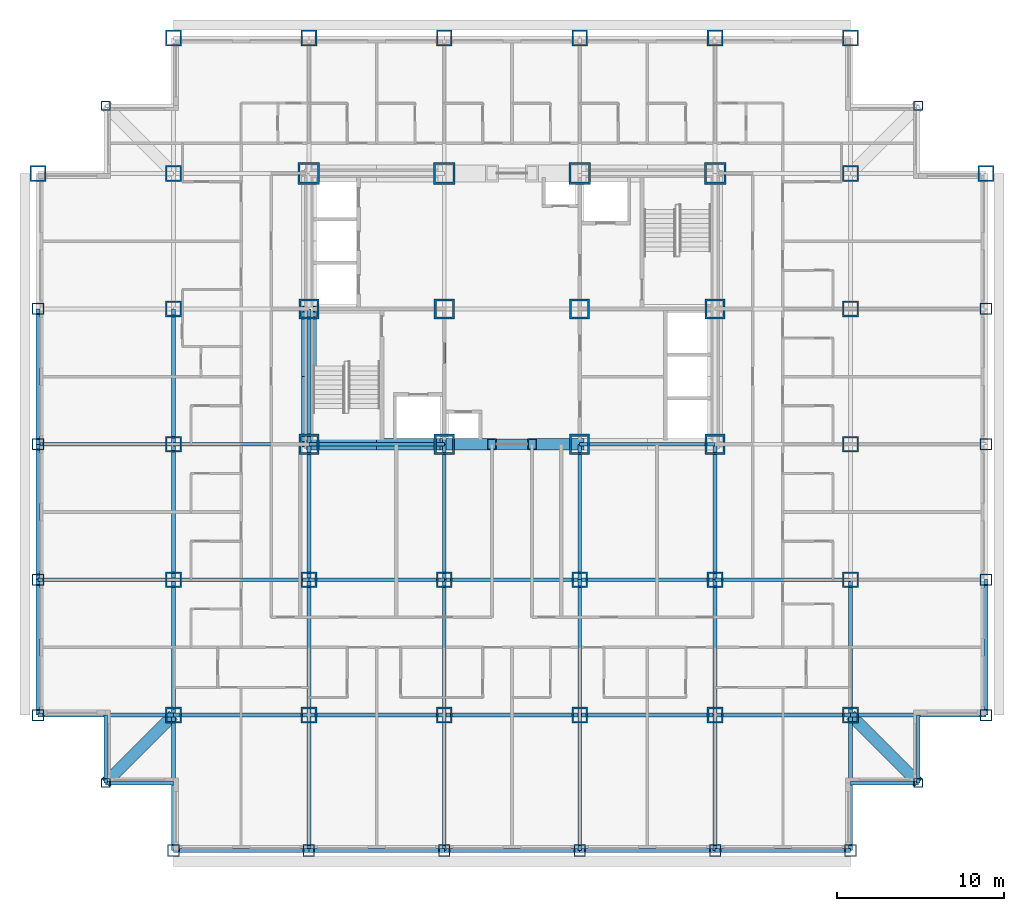
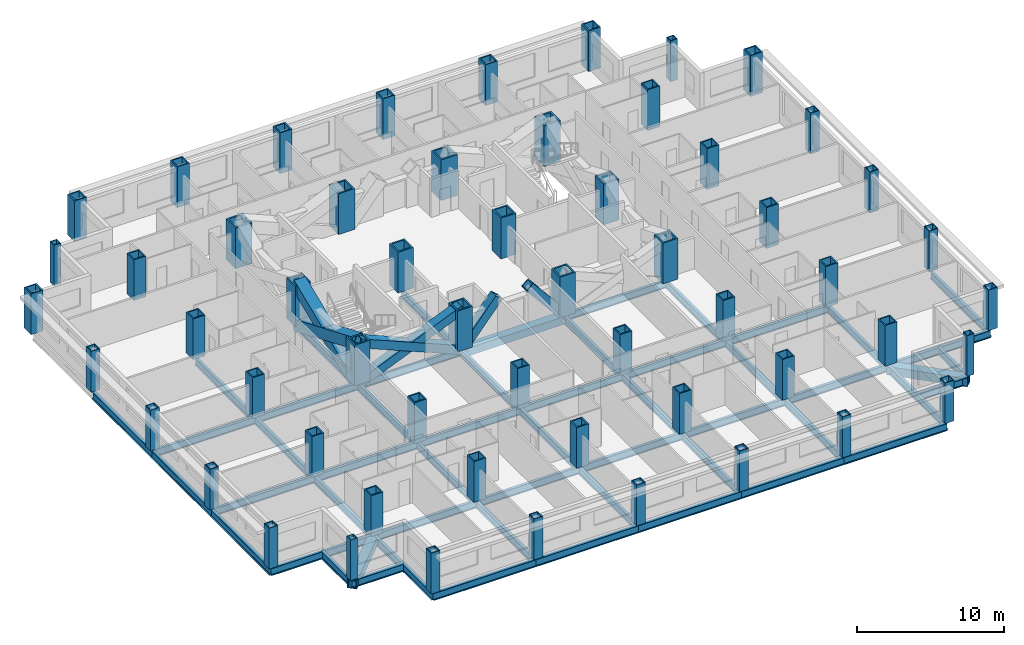
# One storey, part 1 of 11: 56 columns, 53 beams, 6 members.
"""IFC4 building model written with IfcOpenShell, lengths in metres."""

from ifc_helpers import new_model, si_unit, direction, frame, origin, origin_2d, place, context, subcontext, project, spatial, hollow_rectangle, i_section, extrude, material, material_profile, profile_set, type_object, element, save


model = new_model("IFC4")

# Units and contexts
model_context = context("Model", 3, precision=1e-05, world=origin(), true_north=direction((0.0, 1.0)))
body_context = subcontext(model_context, "Body", "Model", "MODEL_VIEW")
ifc_project = project(units=[si_unit("LENGTHUNIT", "METRE"), si_unit("AREAUNIT", "SQUARE_METRE"), si_unit("VOLUMEUNIT", "CUBIC_METRE"), si_unit("PLANEANGLEUNIT", "RADIAN"), si_unit("MASSUNIT", "GRAM", prefix="KILO")], contexts=[model_context])

# Site, building, storey
site_placement = place(None, origin())
site = spatial("IfcSite", under=ifc_project, at=site_placement, CompositionType="ELEMENT")
building_placement = place(site_placement, origin())
building = spatial("IfcBuilding", under=site, at=building_placement, Name="Kopane Lantern Tower", CompositionType="ELEMENT")
storey_placement = place(building_placement, frame((0.0, 0.0, 60.199951171875)))
storey = spatial("IfcBuildingStorey", under=building, at=storey_placement, Name="L14", CompositionType="ELEMENT", Elevation=60.199951171875)

# Columns
ifc_material_1 = material(Name="Steel S355JR", Category="steel")
ifc_material_profile_1 = material_profile(ifc_material_1, hollow_rectangle(XDim=1.199951171875, YDim=1.199951171875, WallThickness=0.1201171875, at=origin_2d()), Name="BOX 1200x1200x120")
ifc_profile_set_1 = profile_set([ifc_material_profile_1], Name="Steel S355JR")
column_type_1 = type_object("IfcColumnType", Name="COLUMN BOX 1200x1200x120", PredefinedType="COLUMN", material=ifc_profile_set_1)
for number, where, z_axis, x_axis, name in (
    (1, (16.199951171875, 24.300048828125, 0.0), (0.0, 0.0, 1.0), (1.0, 0.0, 0.0), "Column 4/E L14"),
    (2, (16.199951171875, 32.39990234375, 0.0), (0.0, 0.0, 1.0), (1.0, 0.0, 0.0), "Column 4/F L14"),
    (3, (24.300048828125, 24.300048828125, 0.0), (0.0, 0.0, 1.0), (1.0, 0.0, 0.0), "Column 5/E L14"),
    (4, (24.300048828125, 32.39990234375, 0.0), (0.0, 0.0, 1.0), (1.0, 0.0, 0.0), "Column 5/F L14"),
    (5, (32.39990234375, 24.300048828125, 0.0), (0.0, 0.0, 1.0), (1.0, 0.0, 0.0), "Column 6/E L14"),
    (6, (32.39990234375, 32.39990234375, 0.0), (0.0, 0.0, 1.0), (1.0, 0.0, 0.0), "Column 6/F L14"),
    (7, (40.5, 24.300048828125, 0.0), (0.0, 0.0, 1.0), (1.0, 0.0, 0.0), "Column 7/E L14"),
    (8, (40.5, 32.39990234375, 0.0), (0.0, 0.0, 1.0), (1.0, 0.0, 0.0), "Column 7/F L14"),
):
    element("IfcColumn", number, at=place(storey_placement, frame(where, z_axis=z_axis, x_axis=x_axis)), inside=storey, type_object=column_type_1, Name=name, PredefinedType="COLUMN", context=body_context, shape_type="SweptSolid", body=[
        extrude(hollow_rectangle(XDim=1.199951171875, YDim=1.199951171875, WallThickness=0.1201171875, at=origin_2d()), origin(), (0.0, 0.0, 1.0), 3.400146484375),
    ])
ifc_material_2 = material(Name="Steel S355JR", Category="steel")
ifc_material_profile_2 = material_profile(ifc_material_2, hollow_rectangle(XDim=1.300048828125, YDim=1.300048828125, WallThickness=0.1298828125, at=origin_2d()), Name="BOX 1300x1300x130")
ifc_profile_set_2 = profile_set([ifc_material_profile_2], Name="Steel S355JR")
column_type_2 = type_object("IfcColumnType", Name="COLUMN BOX 1300x1300x130", PredefinedType="COLUMN", material=ifc_profile_set_2)
for number, where, z_axis, x_axis, name in (
    (9, (16.199951171875, 40.5, 0.0), (0.0, 0.0, 1.0), (1.0, 0.0, 0.0), "Column 4/G L14"),
    (10, (24.300048828125, 40.5, 0.0), (0.0, 0.0, 1.0), (1.0, 0.0, 0.0), "Column 5/G L14"),
    (11, (32.39990234375, 40.5, 0.0), (0.0, 0.0, 1.0), (1.0, 0.0, 0.0), "Column 6/G L14"),
    (12, (40.5, 40.5, 0.0), (0.0, 0.0, 1.0), (1.0, 0.0, 0.0), "Column 7/G L14"),
):
    element("IfcColumn", number, at=place(storey_placement, frame(where, z_axis=z_axis, x_axis=x_axis)), inside=storey, type_object=column_type_2, Name=name, PredefinedType="COLUMN", context=body_context, shape_type="SweptSolid", body=[
        extrude(hollow_rectangle(XDim=1.300048828125, YDim=1.300048828125, WallThickness=0.1298828125, at=origin_2d()), origin(), (0.0, 0.0, 1.0), 3.400146484375),
    ])
ifc_material_3 = material(Name="Steel S355JR", Category="steel")
ifc_material_profile_3 = material_profile(ifc_material_3, hollow_rectangle(XDim=0.550048828125, YDim=0.550048828125, WallThickness=0.050048828125, at=origin_2d()), Name="BOX 550x550x50")
ifc_profile_set_3 = profile_set([ifc_material_profile_3], Name="Steel S355JR")
column_type_3 = type_object("IfcColumnType", Name="COLUMN BOX 550x550x50", PredefinedType="COLUMN", material=ifc_profile_set_3)
for number, where, z_axis, x_axis, name in (
    (13, (4.050048828125, 4.050048828125, 0.0), (0.0, 0.0, 1.0), (1.0, 0.0, 0.0), "Column 4.05/4.05 L14"),
    (14, (4.050048828125, 44.550048828125, 0.0), (0.0, 0.0, 1.0), (1.0, 0.0, 0.0), "Column 4.05/44.55 L14"),
    (15, (52.64990234375, 4.050048828125, 0.0), (0.0, 0.0, 1.0), (1.0, 0.0, 0.0), "Column 52.65/4.05 L14"),
    (16, (52.64990234375, 44.550048828125, 0.0), (0.0, 0.0, 1.0), (1.0, 0.0, 0.0), "Column 52.65/44.55 L14"),
):
    element("IfcColumn", number, at=place(storey_placement, frame(where, z_axis=z_axis, x_axis=x_axis)), inside=storey, type_object=column_type_3, Name=name, PredefinedType="COLUMN", context=body_context, shape_type="SweptSolid", body=[
        extrude(hollow_rectangle(XDim=0.550048828125, YDim=0.550048828125, WallThickness=0.050048828125, at=origin_2d()), origin(), (0.0, 0.0, 1.0), 3.400146484375),
    ])
ifc_material_4 = material(Name="Steel S355JR", Category="steel")
ifc_material_profile_4 = material_profile(ifc_material_4, hollow_rectangle(XDim=0.699951171875, YDim=0.699951171875, WallThickness=0.06005859375, at=origin_2d()), Name="BOX 700x700x60")
ifc_profile_set_4 = profile_set([ifc_material_profile_4], Name="Steel S355JR")
column_type_4 = type_object("IfcColumnType", Name="COLUMN BOX 700x700x60", PredefinedType="COLUMN", material=ifc_profile_set_4)
for number, where, z_axis, x_axis, name in (
    (17, (0.0, 8.10009765625, 0.0), (0.0, 0.0, 1.0), (1.0, 0.0, 0.0), "Column 2/C L14"),
    (18, (0.0, 16.199951171875, 0.0), (0.0, 0.0, 1.0), (1.0, 0.0, 0.0), "Column 2/D L14"),
    (19, (0.0, 24.300048828125, 0.0), (0.0, 0.0, 1.0), (1.0, 0.0, 0.0), "Column 2/E L14"),
    (20, (0.0, 32.39990234375, 0.0), (0.0, 0.0, 1.0), (1.0, 0.0, 0.0), "Column 2/F L14"),
    (21, (8.10009765625, 0.0, 0.0), (0.0, 0.0, 1.0), (1.0, 0.0, 0.0), "Column 3/B L14"),
    (22, (16.199951171875, 0.0, 0.0), (0.0, 0.0, 1.0), (1.0, 0.0, 0.0), "Column 4/B L14"),
    (23, (24.300048828125, 0.0, 0.0), (0.0, 0.0, 1.0), (1.0, 0.0, 0.0), "Column 5/B L14"),
    (24, (32.39990234375, 0.0, 0.0), (0.0, 0.0, 1.0), (1.0, 0.0, 0.0), "Column 6/B L14"),
    (25, (40.5, 0.0, 0.0), (0.0, 0.0, 1.0), (1.0, 0.0, 0.0), "Column 7/B L14"),
    (26, (48.60009765625, 0.0, 0.0), (0.0, 0.0, 1.0), (1.0, 0.0, 0.0), "Column 8/B L14"),
    (27, (56.699951171875, 8.10009765625, 0.0), (0.0, 0.0, 1.0), (1.0, 0.0, 0.0), "Column 9/C L14"),
    (28, (56.699951171875, 16.199951171875, 0.0), (0.0, 0.0, 1.0), (1.0, 0.0, 0.0), "Column 9/D L14"),
    (29, (56.699951171875, 24.300048828125, 0.0), (0.0, 0.0, 1.0), (1.0, 0.0, 0.0), "Column 9/E L14"),
    (30, (56.699951171875, 32.39990234375, 0.0), (0.0, 0.0, 1.0), (1.0, 0.0, 0.0), "Column 9/F L14"),
):
    element("IfcColumn", number, at=place(storey_placement, frame(where, z_axis=z_axis, x_axis=x_axis)), inside=storey, type_object=column_type_4, Name=name, PredefinedType="COLUMN", context=body_context, shape_type="SweptSolid", body=[
        extrude(hollow_rectangle(XDim=0.699951171875, YDim=0.699951171875, WallThickness=0.06005859375, at=origin_2d()), origin(), (0.0, 0.0, 1.0), 3.400146484375),
    ])
ifc_material_5 = material(Name="Steel S355JR", Category="steel")
ifc_material_profile_5 = material_profile(ifc_material_5, hollow_rectangle(XDim=0.949951171875, YDim=0.949951171875, WallThickness=0.094970703125, at=origin_2d()), Name="BOX 950x950x95")
ifc_profile_set_5 = profile_set([ifc_material_profile_5], Name="Steel S355JR")
column_type_5 = type_object("IfcColumnType", Name="COLUMN BOX 950x950x95", PredefinedType="COLUMN", material=ifc_profile_set_5)
for number, where, z_axis, x_axis, name in (
    (31, (0.0, 40.5, 0.0), (0.0, 0.0, 1.0), (1.0, 0.0, 0.0), "Column 2/G L14"),
    (32, (8.10009765625, 8.10009765625, 0.0), (0.0, 0.0, 1.0), (1.0, 0.0, 0.0), "Column 3/C L14"),
    (33, (8.10009765625, 16.199951171875, 0.0), (0.0, 0.0, 1.0), (1.0, 0.0, 0.0), "Column 3/D L14"),
    (34, (8.10009765625, 24.300048828125, 0.0), (0.0, 0.0, 1.0), (1.0, 0.0, 0.0), "Column 3/E L14"),
    (35, (8.10009765625, 32.39990234375, 0.0), (0.0, 0.0, 1.0), (1.0, 0.0, 0.0), "Column 3/F L14"),
    (36, (8.10009765625, 40.5, 0.0), (0.0, 0.0, 1.0), (1.0, 0.0, 0.0), "Column 3/G L14"),
    (37, (8.10009765625, 48.60009765625, 0.0), (0.0, 0.0, 1.0), (1.0, 0.0, 0.0), "Column 3/H L14"),
    (38, (16.199951171875, 8.10009765625, 0.0), (0.0, 0.0, 1.0), (1.0, 0.0, 0.0), "Column 4/C L14"),
    (39, (16.199951171875, 16.199951171875, 0.0), (0.0, 0.0, 1.0), (1.0, 0.0, 0.0), "Column 4/D L14"),
    (40, (16.199951171875, 48.60009765625, 0.0), (0.0, 0.0, 1.0), (1.0, 0.0, 0.0), "Column 4/H L14"),
    (41, (24.300048828125, 8.10009765625, 0.0), (0.0, 0.0, 1.0), (1.0, 0.0, 0.0), "Column 5/C L14"),
    (42, (24.300048828125, 16.199951171875, 0.0), (0.0, 0.0, 1.0), (1.0, 0.0, 0.0), "Column 5/D L14"),
    (43, (24.300048828125, 48.60009765625, 0.0), (0.0, 0.0, 1.0), (1.0, 0.0, 0.0), "Column 5/H L14"),
    (44, (32.39990234375, 8.10009765625, 0.0), (0.0, 0.0, 1.0), (1.0, 0.0, 0.0), "Column 6/C L14"),
    (45, (32.39990234375, 16.199951171875, 0.0), (0.0, 0.0, 1.0), (1.0, 0.0, 0.0), "Column 6/D L14"),
    (46, (32.39990234375, 48.60009765625, 0.0), (0.0, 0.0, 1.0), (1.0, 0.0, 0.0), "Column 6/H L14"),
    (47, (40.5, 8.10009765625, 0.0), (0.0, 0.0, 1.0), (1.0, 0.0, 0.0), "Column 7/C L14"),
    (48, (40.5, 16.199951171875, 0.0), (0.0, 0.0, 1.0), (1.0, 0.0, 0.0), "Column 7/D L14"),
    (49, (40.5, 48.60009765625, 0.0), (0.0, 0.0, 1.0), (1.0, 0.0, 0.0), "Column 7/H L14"),
    (50, (48.60009765625, 8.10009765625, 0.0), (0.0, 0.0, 1.0), (1.0, 0.0, 0.0), "Column 8/C L14"),
    (51, (48.60009765625, 16.199951171875, 0.0), (0.0, 0.0, 1.0), (1.0, 0.0, 0.0), "Column 8/D L14"),
    (52, (48.60009765625, 24.300048828125, 0.0), (0.0, 0.0, 1.0), (1.0, 0.0, 0.0), "Column 8/E L14"),
    (53, (48.60009765625, 32.39990234375, 0.0), (0.0, 0.0, 1.0), (1.0, 0.0, 0.0), "Column 8/F L14"),
    (54, (48.60009765625, 40.5, 0.0), (0.0, 0.0, 1.0), (1.0, 0.0, 0.0), "Column 8/G L14"),
    (55, (48.60009765625, 48.60009765625, 0.0), (0.0, 0.0, 1.0), (1.0, 0.0, 0.0), "Column 8/H L14"),
    (56, (56.699951171875, 40.5, 0.0), (0.0, 0.0, 1.0), (1.0, 0.0, 0.0), "Column 9/G L14"),
):
    element("IfcColumn", number, at=place(storey_placement, frame(where, z_axis=z_axis, x_axis=x_axis)), inside=storey, type_object=column_type_5, Name=name, PredefinedType="COLUMN", context=body_context, shape_type="SweptSolid", body=[
        extrude(hollow_rectangle(XDim=0.949951171875, YDim=0.949951171875, WallThickness=0.094970703125, at=origin_2d()), origin(), (0.0, 0.0, 1.0), 3.400146484375),
    ])

# Members
ifc_material_6 = material(Name="Steel S355JR", Category="steel")
ifc_material_profile_6 = material_profile(ifc_material_6, hollow_rectangle(XDim=0.699951171875, YDim=0.699951171875, WallThickness=0.06005859375, at=origin_2d()), Name="BOX 700x700x60")
ifc_profile_set_6 = profile_set([ifc_material_profile_6], Name="Steel S355JR")
member_type_1 = type_object("IfcMemberType", Name="BRACE BOX 700x700x60", PredefinedType="BRACE", material=ifc_profile_set_6)
for number, where, z_axis, x_axis, name in (
    (57, (16.199951171875, 24.300048828125, -0.2099609375), (0.922069000757, 0.0, 0.387025526088), (0.0, 1.0, 0.0), "Core brace L14"),
    (58, (24.300048828125, 24.300048828125, -0.2099609375), (-0.922069000757, 0.0, 0.387025526088), (0.0, -1.0, 0.0), "Core brace L14"),
):
    element("IfcMember", number, at=place(storey_placement, frame(where, z_axis=z_axis, x_axis=x_axis)), inside=storey, type_object=member_type_1, Name=name, PredefinedType="BRACE", context=body_context, shape_type="SweptSolid", body=[
        extrude(hollow_rectangle(XDim=0.699951171875, YDim=0.699951171875, WallThickness=0.06005859375, at=origin_2d()), origin(), (0.0, 0.0, 1.0), 8.78466796875),
    ])
for number, where, z_axis, x_axis, name in (
    (59, (24.300048828125, 24.300048828125, -0.2099609375), (0.642390257445, 0.0, 0.7663776857), (0.0, 1.0, 0.0), "Core brace L14"),
    (60, (32.39990234375, 24.300048828125, -0.2099609375), (-0.642390257445, 0.0, 0.7663776857), (0.0, -1.0, 0.0), "Core brace L14"),
):
    element("IfcMember", number, at=place(storey_placement, frame(where, z_axis=z_axis, x_axis=x_axis)), inside=storey, type_object=member_type_1, Name=name, PredefinedType="BRACE", context=body_context, shape_type="SweptSolid", body=[
        extrude(hollow_rectangle(XDim=0.699951171875, YDim=0.699951171875, WallThickness=0.06005859375, at=origin_2d()), origin(), (0.0, 0.0, 1.0), 4.436279296875),
    ])
ifc_material_7 = material(Name="Steel S355JR", Category="steel")
ifc_material_profile_7 = material_profile(ifc_material_7, hollow_rectangle(XDim=0.89990234375, YDim=0.89990234375, WallThickness=0.090087890625, at=origin_2d()), Name="BOX 900x900x90")
ifc_profile_set_7 = profile_set([ifc_material_profile_7], Name="Steel S355JR")
member_type_2 = type_object("IfcMemberType", Name="BRACE BOX 900x900x90", PredefinedType="BRACE", material=ifc_profile_set_7)
for number, where, z_axis, x_axis, name in (
    (61, (16.199951171875, 24.300048828125, -0.2099609375), (0.0, 0.922064837731, 0.38703544414), (-1.0, 0.0, 0.0), "Core brace L14"),
    (62, (16.199951171875, 32.39990234375, -0.2099609375), (0.0, -0.922064837731, 0.38703544414), (1.0, 0.0, 0.0), "Core brace L14"),
):
    element("IfcMember", number, at=place(storey_placement, frame(where, z_axis=z_axis, x_axis=x_axis)), inside=storey, type_object=member_type_2, Name=name, PredefinedType="BRACE", context=body_context, shape_type="SweptSolid", body=[
        extrude(hollow_rectangle(XDim=0.89990234375, YDim=0.89990234375, WallThickness=0.090087890625, at=origin_2d()), origin(), (0.0, 0.0, 1.0), 8.784423828125),
    ])

# Beams
ifc_material_8 = material(Name="Steel S355JR", Category="steel")
ifc_material_profile_8 = material_profile(ifc_material_8, i_section(OverallWidth=0.22900390625, OverallDepth=0.6123046875, WebThickness=0.011962890625, FlangeThickness=0.01953125, FilletRadius=0.0126953125, at=origin_2d()), Name="UB 610x229x125")
ifc_profile_set_8 = profile_set([ifc_material_profile_8], Name="Steel S355JR")
beam_type_1 = type_object("IfcBeamType", Name="CORE BEAM UB 610x229x125", PredefinedType="BEAM", material=ifc_profile_set_8)
beam_1_placement = place(storey_placement, frame((24.300048828125, 24.300048828125, -0.51611328125), z_axis=(0.0, 1.0, 0.0), x_axis=(-1.0, 0.0, 0.0)))
element("IfcBeam", 63, at=beam_1_placement, inside=storey, type_object=beam_type_1, Name="Core Beam L14", PredefinedType="BEAM", context=body_context, shape_type="SweptSolid", body=[
    extrude(i_section(OverallWidth=0.22900390625, OverallDepth=0.6123046875, WebThickness=0.011962890625, FlangeThickness=0.01953125, FilletRadius=0.0126953125, at=origin_2d()), origin(), (0.0, 0.0, 1.0), 8.099853515625),
])
ifc_material_9 = material(Name="Steel S355JR", Category="steel")
ifc_material_profile_9 = material_profile(ifc_material_9, hollow_rectangle(XDim=0.699951171875, YDim=0.699951171875, WallThickness=0.06005859375, at=origin_2d()), Name="BOX 700x700x60")
ifc_profile_set_9 = profile_set([ifc_material_profile_9], Name="Steel S355JR")
beam_type_2 = type_object("IfcBeamType", Name="CORNER TIE BEAM BOX 700x700x60", PredefinedType="BEAM", material=ifc_profile_set_9)
for number, where, z_axis, x_axis, name in (
    (64, (4.050048828125, 4.050048828125, -0.56005859375), (0.707106781187, 0.707106781187, 0.0), (-0.707106781187, 0.707106781187, 0.0), "Corner Tie Beam L14"),
    (65, (52.64990234375, 4.050048828125, -0.56005859375), (-0.707085467703, 0.707128094028, 0.0), (-0.707128094028, -0.707085467703, 0.0), "Corner Tie Beam L14"),
):
    element("IfcBeam", number, at=place(storey_placement, frame(where, z_axis=z_axis, x_axis=x_axis)), inside=storey, type_object=beam_type_2, Name=name, PredefinedType="BEAM", context=body_context, shape_type="SweptSolid", body=[
        extrude(hollow_rectangle(XDim=0.699951171875, YDim=0.699951171875, WallThickness=0.06005859375, at=origin_2d()), origin(), (0.0, 0.0, 1.0), 5.7275390625),
    ])
ifc_material_10 = material(Name="Steel S355JR", Category="steel")
ifc_material_profile_10 = material_profile(ifc_material_10, i_section(OverallWidth=0.22900390625, OverallDepth=0.6123046875, WebThickness=0.011962890625, FlangeThickness=0.01953125, FilletRadius=0.0126953125, at=origin_2d()), Name="UB 610x229x125")
ifc_profile_set_10 = profile_set([ifc_material_profile_10], Name="Steel S355JR")
beam_type_3 = type_object("IfcBeamType", Name="EDGE BEAM UB 610x229x125", PredefinedType="BEAM", material=ifc_profile_set_10)
for number, where, z_axis, x_axis, name in (
    (66, (4.050048828125, 4.050048828125, -0.51611328125), (0.0, 1.0, 0.0), (-1.0, 0.0, 0.0), "Edge Beam L14"),
    (67, (4.050048828125, 4.050048828125, -0.51611328125), (1.0, 0.0, 0.0), (0.0, 1.0, 0.0), "Edge Beam L14"),
):
    element("IfcBeam", number, at=place(storey_placement, frame(where, z_axis=z_axis, x_axis=x_axis)), inside=storey, type_object=beam_type_3, Name=name, PredefinedType="BEAM", context=body_context, shape_type="SweptSolid", body=[
        extrude(i_section(OverallWidth=0.22900390625, OverallDepth=0.6123046875, WebThickness=0.011962890625, FlangeThickness=0.01953125, FilletRadius=0.0126953125, at=origin_2d()), origin(), (0.0, 0.0, 1.0), 4.050048828125),
    ])
beam_2_placement = place(storey_placement, frame((52.64990234375, 4.050048828125, -0.51611328125), z_axis=(-1.0, 0.0, 0.0), x_axis=(0.0, -1.0, 0.0)))
element("IfcBeam", 68, at=beam_2_placement, inside=storey, type_object=beam_type_3, Name="Edge Beam L14", PredefinedType="BEAM", context=body_context, shape_type="SweptSolid", body=[
    extrude(i_section(OverallWidth=0.22900390625, OverallDepth=0.6123046875, WebThickness=0.011962890625, FlangeThickness=0.01953125, FilletRadius=0.0126953125, at=origin_2d()), origin(), (0.0, 0.0, 1.0), 4.0498046875),
])
beam_3_placement = place(storey_placement, frame((52.64990234375, 4.050048828125, -0.51611328125), z_axis=(0.0, 1.0, 0.0), x_axis=(-1.0, 0.0, 0.0)))
element("IfcBeam", 69, at=beam_3_placement, inside=storey, type_object=beam_type_3, Name="Edge Beam L14", PredefinedType="BEAM", context=body_context, shape_type="SweptSolid", body=[
    extrude(i_section(OverallWidth=0.22900390625, OverallDepth=0.6123046875, WebThickness=0.011962890625, FlangeThickness=0.01953125, FilletRadius=0.0126953125, at=origin_2d()), origin(), (0.0, 0.0, 1.0), 4.050048828125),
])
ifc_material_11 = material(Name="Steel S355JR", Category="steel")
ifc_material_profile_11 = material_profile(ifc_material_11, i_section(OverallWidth=0.22900390625, OverallDepth=0.6123046875, WebThickness=0.011962890625, FlangeThickness=0.01953125, FilletRadius=0.0126953125, at=origin_2d()), Name="UB 610x229x125")
ifc_profile_set_11 = profile_set([ifc_material_profile_11], Name="Steel S355JR")
beam_type_4 = type_object("IfcBeamType", Name="GIRDER UB 610x229x125", PredefinedType="BEAM", material=ifc_profile_set_11)
beam_4_placement = place(storey_placement, frame((0.0, 8.10009765625, -0.51611328125), z_axis=(0.0, 1.0, 0.0), x_axis=(-1.0, 0.0, 0.0)))
element("IfcBeam", 70, at=beam_4_placement, inside=storey, type_object=beam_type_4, Name="Girder L14", PredefinedType="BEAM", context=body_context, shape_type="SweptSolid", body=[
    extrude(i_section(OverallWidth=0.22900390625, OverallDepth=0.6123046875, WebThickness=0.011962890625, FlangeThickness=0.01953125, FilletRadius=0.0126953125, at=origin_2d()), origin(), (0.0, 0.0, 1.0), 8.099853515625),
])
for number, where, z_axis, x_axis, name in (
    (71, (0.0, 8.10009765625, -0.51611328125), (1.0, 0.0, 0.0), (0.0, 1.0, 0.0), "Girder L14"),
    (72, (0.0, 16.199951171875, -0.51611328125), (0.0, 1.0, 0.0), (-1.0, 0.0, 0.0), "Girder L14"),
    (73, (0.0, 16.199951171875, -0.51611328125), (1.0, 0.0, 0.0), (0.0, 1.0, 0.0), "Girder L14"),
):
    element("IfcBeam", number, at=place(storey_placement, frame(where, z_axis=z_axis, x_axis=x_axis)), inside=storey, type_object=beam_type_4, Name=name, PredefinedType="BEAM", context=body_context, shape_type="SweptSolid", body=[
        extrude(i_section(OverallWidth=0.22900390625, OverallDepth=0.6123046875, WebThickness=0.011962890625, FlangeThickness=0.01953125, FilletRadius=0.0126953125, at=origin_2d()), origin(), (0.0, 0.0, 1.0), 8.10009765625),
    ])
beam_5_placement = place(storey_placement, frame((0.0, 24.300048828125, -0.51611328125), z_axis=(0.0, 1.0, 0.0), x_axis=(-1.0, 0.0, 0.0)))
element("IfcBeam", 74, at=beam_5_placement, inside=storey, type_object=beam_type_4, Name="Girder L14", PredefinedType="BEAM", context=body_context, shape_type="SweptSolid", body=[
    extrude(i_section(OverallWidth=0.22900390625, OverallDepth=0.6123046875, WebThickness=0.011962890625, FlangeThickness=0.01953125, FilletRadius=0.0126953125, at=origin_2d()), origin(), (0.0, 0.0, 1.0), 8.099853515625),
])
for number, where, z_axis, x_axis, name in (
    (75, (0.0, 24.300048828125, -0.51611328125), (1.0, 0.0, 0.0), (0.0, 1.0, 0.0), "Girder L14"),
    (76, (8.10009765625, 0.0, -0.51611328125), (0.0, 1.0, 0.0), (-1.0, 0.0, 0.0), "Girder L14"),
):
    element("IfcBeam", number, at=place(storey_placement, frame(where, z_axis=z_axis, x_axis=x_axis)), inside=storey, type_object=beam_type_4, Name=name, PredefinedType="BEAM", context=body_context, shape_type="SweptSolid", body=[
        extrude(i_section(OverallWidth=0.22900390625, OverallDepth=0.6123046875, WebThickness=0.011962890625, FlangeThickness=0.01953125, FilletRadius=0.0126953125, at=origin_2d()), origin(), (0.0, 0.0, 1.0), 8.10009765625),
    ])
for number, where, z_axis, x_axis, name in (
    (77, (8.10009765625, 0.0, -0.51611328125), (1.0, 0.0, 0.0), (0.0, 1.0, 0.0), "Girder L14"),
    (78, (8.10009765625, 8.10009765625, -0.51611328125), (0.0, 1.0, 0.0), (-1.0, 0.0, 0.0), "Girder L14"),
    (79, (8.10009765625, 8.10009765625, -0.51611328125), (1.0, 0.0, 0.0), (0.0, 1.0, 0.0), "Girder L14"),
):
    element("IfcBeam", number, at=place(storey_placement, frame(where, z_axis=z_axis, x_axis=x_axis)), inside=storey, type_object=beam_type_4, Name=name, PredefinedType="BEAM", context=body_context, shape_type="SweptSolid", body=[
        extrude(i_section(OverallWidth=0.22900390625, OverallDepth=0.6123046875, WebThickness=0.011962890625, FlangeThickness=0.01953125, FilletRadius=0.0126953125, at=origin_2d()), origin(), (0.0, 0.0, 1.0), 8.099853515625),
    ])
beam_6_placement = place(storey_placement, frame((8.10009765625, 16.199951171875, -0.51611328125), z_axis=(0.0, 1.0, 0.0), x_axis=(-1.0, 0.0, 0.0)))
element("IfcBeam", 80, at=beam_6_placement, inside=storey, type_object=beam_type_4, Name="Girder L14", PredefinedType="BEAM", context=body_context, shape_type="SweptSolid", body=[
    extrude(i_section(OverallWidth=0.22900390625, OverallDepth=0.6123046875, WebThickness=0.011962890625, FlangeThickness=0.01953125, FilletRadius=0.0126953125, at=origin_2d()), origin(), (0.0, 0.0, 1.0), 8.10009765625),
])
for number, where, z_axis, x_axis, name in (
    (81, (8.10009765625, 16.199951171875, -0.51611328125), (1.0, 0.0, 0.0), (0.0, 1.0, 0.0), "Girder L14"),
    (82, (8.10009765625, 24.300048828125, -0.51611328125), (0.0, 1.0, 0.0), (-1.0, 0.0, 0.0), "Girder L14"),
    (83, (8.10009765625, 24.300048828125, -0.51611328125), (1.0, 0.0, 0.0), (0.0, 1.0, 0.0), "Girder L14"),
):
    element("IfcBeam", number, at=place(storey_placement, frame(where, z_axis=z_axis, x_axis=x_axis)), inside=storey, type_object=beam_type_4, Name=name, PredefinedType="BEAM", context=body_context, shape_type="SweptSolid", body=[
        extrude(i_section(OverallWidth=0.22900390625, OverallDepth=0.6123046875, WebThickness=0.011962890625, FlangeThickness=0.01953125, FilletRadius=0.0126953125, at=origin_2d()), origin(), (0.0, 0.0, 1.0), 8.099853515625),
    ])
for number, where, z_axis, x_axis, name in (
    (84, (16.199951171875, 0.0, -0.51611328125), (0.0, 1.0, 0.0), (-1.0, 0.0, 0.0), "Girder L14"),
    (85, (16.199951171875, 0.0, -0.51611328125), (1.0, 0.0, 0.0), (0.0, 1.0, 0.0), "Girder L14"),
):
    element("IfcBeam", number, at=place(storey_placement, frame(where, z_axis=z_axis, x_axis=x_axis)), inside=storey, type_object=beam_type_4, Name=name, PredefinedType="BEAM", context=body_context, shape_type="SweptSolid", body=[
        extrude(i_section(OverallWidth=0.22900390625, OverallDepth=0.6123046875, WebThickness=0.011962890625, FlangeThickness=0.01953125, FilletRadius=0.0126953125, at=origin_2d()), origin(), (0.0, 0.0, 1.0), 8.10009765625),
    ])
beam_7_placement = place(storey_placement, frame((16.199951171875, 8.10009765625, -0.51611328125), z_axis=(0.0, 1.0, 0.0), x_axis=(-1.0, 0.0, 0.0)))
element("IfcBeam", 86, at=beam_7_placement, inside=storey, type_object=beam_type_4, Name="Girder L14", PredefinedType="BEAM", context=body_context, shape_type="SweptSolid", body=[
    extrude(i_section(OverallWidth=0.22900390625, OverallDepth=0.6123046875, WebThickness=0.011962890625, FlangeThickness=0.01953125, FilletRadius=0.0126953125, at=origin_2d()), origin(), (0.0, 0.0, 1.0), 8.099853515625),
])
for number, where, z_axis, x_axis, name in (
    (87, (16.199951171875, 8.10009765625, -0.51611328125), (1.0, 0.0, 0.0), (0.0, 1.0, 0.0), "Girder L14"),
    (88, (16.199951171875, 16.199951171875, -0.51611328125), (0.0, 1.0, 0.0), (-1.0, 0.0, 0.0), "Girder L14"),
    (89, (16.199951171875, 16.199951171875, -0.51611328125), (1.0, 0.0, 0.0), (0.0, 1.0, 0.0), "Girder L14"),
):
    element("IfcBeam", number, at=place(storey_placement, frame(where, z_axis=z_axis, x_axis=x_axis)), inside=storey, type_object=beam_type_4, Name=name, PredefinedType="BEAM", context=body_context, shape_type="SweptSolid", body=[
        extrude(i_section(OverallWidth=0.22900390625, OverallDepth=0.6123046875, WebThickness=0.011962890625, FlangeThickness=0.01953125, FilletRadius=0.0126953125, at=origin_2d()), origin(), (0.0, 0.0, 1.0), 8.10009765625),
    ])
beam_8_placement = place(storey_placement, frame((16.199951171875, 24.300048828125, -0.51611328125), z_axis=(0.0, 1.0, 0.0), x_axis=(-1.0, 0.0, 0.0)))
element("IfcBeam", 90, at=beam_8_placement, inside=storey, type_object=beam_type_4, Name="Girder L14", PredefinedType="BEAM", context=body_context, shape_type="SweptSolid", body=[
    extrude(i_section(OverallWidth=0.22900390625, OverallDepth=0.6123046875, WebThickness=0.011962890625, FlangeThickness=0.01953125, FilletRadius=0.0126953125, at=origin_2d()), origin(), (0.0, 0.0, 1.0), 8.099853515625),
])
for number, where, z_axis, x_axis, name in (
    (91, (16.199951171875, 24.300048828125, -0.51611328125), (1.0, 0.0, 0.0), (0.0, 1.0, 0.0), "Girder L14"),
    (92, (24.300048828125, 0.0, -0.51611328125), (0.0, 1.0, 0.0), (-1.0, 0.0, 0.0), "Girder L14"),
):
    element("IfcBeam", number, at=place(storey_placement, frame(where, z_axis=z_axis, x_axis=x_axis)), inside=storey, type_object=beam_type_4, Name=name, PredefinedType="BEAM", context=body_context, shape_type="SweptSolid", body=[
        extrude(i_section(OverallWidth=0.22900390625, OverallDepth=0.6123046875, WebThickness=0.011962890625, FlangeThickness=0.01953125, FilletRadius=0.0126953125, at=origin_2d()), origin(), (0.0, 0.0, 1.0), 8.10009765625),
    ])
for number, where, z_axis, x_axis, name in (
    (93, (24.300048828125, 0.0, -0.51611328125), (1.0, 0.0, 0.0), (0.0, 1.0, 0.0), "Girder L14"),
    (94, (24.300048828125, 8.10009765625, -0.51611328125), (0.0, 1.0, 0.0), (-1.0, 0.0, 0.0), "Girder L14"),
    (95, (24.300048828125, 8.10009765625, -0.51611328125), (1.0, 0.0, 0.0), (0.0, 1.0, 0.0), "Girder L14"),
):
    element("IfcBeam", number, at=place(storey_placement, frame(where, z_axis=z_axis, x_axis=x_axis)), inside=storey, type_object=beam_type_4, Name=name, PredefinedType="BEAM", context=body_context, shape_type="SweptSolid", body=[
        extrude(i_section(OverallWidth=0.22900390625, OverallDepth=0.6123046875, WebThickness=0.011962890625, FlangeThickness=0.01953125, FilletRadius=0.0126953125, at=origin_2d()), origin(), (0.0, 0.0, 1.0), 8.099853515625),
    ])
beam_9_placement = place(storey_placement, frame((24.300048828125, 16.199951171875, -0.51611328125), z_axis=(0.0, 1.0, 0.0), x_axis=(-1.0, 0.0, 0.0)))
element("IfcBeam", 96, at=beam_9_placement, inside=storey, type_object=beam_type_4, Name="Girder L14", PredefinedType="BEAM", context=body_context, shape_type="SweptSolid", body=[
    extrude(i_section(OverallWidth=0.22900390625, OverallDepth=0.6123046875, WebThickness=0.011962890625, FlangeThickness=0.01953125, FilletRadius=0.0126953125, at=origin_2d()), origin(), (0.0, 0.0, 1.0), 8.10009765625),
])
beam_10_placement = place(storey_placement, frame((24.300048828125, 16.199951171875, -0.51611328125), z_axis=(1.0, 0.0, 0.0), x_axis=(0.0, 1.0, 0.0)))
element("IfcBeam", 97, at=beam_10_placement, inside=storey, type_object=beam_type_4, Name="Girder L14", PredefinedType="BEAM", context=body_context, shape_type="SweptSolid", body=[
    extrude(i_section(OverallWidth=0.22900390625, OverallDepth=0.6123046875, WebThickness=0.011962890625, FlangeThickness=0.01953125, FilletRadius=0.0126953125, at=origin_2d()), origin(), (0.0, 0.0, 1.0), 8.099853515625),
])
for number, where, z_axis, x_axis, name in (
    (98, (32.39990234375, 0.0, -0.51611328125), (0.0, 1.0, 0.0), (-1.0, 0.0, 0.0), "Girder L14"),
    (99, (32.39990234375, 0.0, -0.51611328125), (1.0, 0.0, 0.0), (0.0, 1.0, 0.0), "Girder L14"),
):
    element("IfcBeam", number, at=place(storey_placement, frame(where, z_axis=z_axis, x_axis=x_axis)), inside=storey, type_object=beam_type_4, Name=name, PredefinedType="BEAM", context=body_context, shape_type="SweptSolid", body=[
        extrude(i_section(OverallWidth=0.22900390625, OverallDepth=0.6123046875, WebThickness=0.011962890625, FlangeThickness=0.01953125, FilletRadius=0.0126953125, at=origin_2d()), origin(), (0.0, 0.0, 1.0), 8.10009765625),
    ])
beam_11_placement = place(storey_placement, frame((32.39990234375, 8.10009765625, -0.51611328125), z_axis=(0.0, 1.0, 0.0), x_axis=(-1.0, 0.0, 0.0)))
element("IfcBeam", 100, at=beam_11_placement, inside=storey, type_object=beam_type_4, Name="Girder L14", PredefinedType="BEAM", context=body_context, shape_type="SweptSolid", body=[
    extrude(i_section(OverallWidth=0.22900390625, OverallDepth=0.6123046875, WebThickness=0.011962890625, FlangeThickness=0.01953125, FilletRadius=0.0126953125, at=origin_2d()), origin(), (0.0, 0.0, 1.0), 8.099853515625),
])
for number, where, z_axis, x_axis, name in (
    (101, (32.39990234375, 8.10009765625, -0.51611328125), (1.0, 0.0, 0.0), (0.0, 1.0, 0.0), "Girder L14"),
    (102, (32.39990234375, 16.199951171875, -0.51611328125), (0.0, 1.0, 0.0), (-1.0, 0.0, 0.0), "Girder L14"),
    (103, (32.39990234375, 16.199951171875, -0.51611328125), (1.0, 0.0, 0.0), (0.0, 1.0, 0.0), "Girder L14"),
    (104, (32.39990234375, 24.300048828125, -0.51611328125), (1.0, 0.0, 0.0), (0.0, 1.0, 0.0), "Girder L14"),
    (105, (40.5, 0.0, -0.51611328125), (0.0, 1.0, 0.0), (-1.0, 0.0, 0.0), "Girder L14"),
    (106, (40.5, 0.0, -0.51611328125), (1.0, 0.0, 0.0), (0.0, 1.0, 0.0), "Girder L14"),
):
    element("IfcBeam", number, at=place(storey_placement, frame(where, z_axis=z_axis, x_axis=x_axis)), inside=storey, type_object=beam_type_4, Name=name, PredefinedType="BEAM", context=body_context, shape_type="SweptSolid", body=[
        extrude(i_section(OverallWidth=0.22900390625, OverallDepth=0.6123046875, WebThickness=0.011962890625, FlangeThickness=0.01953125, FilletRadius=0.0126953125, at=origin_2d()), origin(), (0.0, 0.0, 1.0), 8.10009765625),
    ])
beam_12_placement = place(storey_placement, frame((40.5, 8.10009765625, -0.51611328125), z_axis=(0.0, 1.0, 0.0), x_axis=(-1.0, 0.0, 0.0)))
element("IfcBeam", 107, at=beam_12_placement, inside=storey, type_object=beam_type_4, Name="Girder L14", PredefinedType="BEAM", context=body_context, shape_type="SweptSolid", body=[
    extrude(i_section(OverallWidth=0.22900390625, OverallDepth=0.6123046875, WebThickness=0.011962890625, FlangeThickness=0.01953125, FilletRadius=0.0126953125, at=origin_2d()), origin(), (0.0, 0.0, 1.0), 8.099853515625),
])
for number, where, z_axis, x_axis, name in (
    (108, (40.5, 8.10009765625, -0.51611328125), (1.0, 0.0, 0.0), (0.0, 1.0, 0.0), "Girder L14"),
    (109, (40.5, 16.199951171875, -0.51611328125), (0.0, 1.0, 0.0), (-1.0, 0.0, 0.0), "Girder L14"),
    (110, (40.5, 16.199951171875, -0.51611328125), (1.0, 0.0, 0.0), (0.0, 1.0, 0.0), "Girder L14"),
    (111, (48.60009765625, 0.0, -0.51611328125), (0.0, 1.0, 0.0), (-1.0, 0.0, 0.0), "Girder L14"),
):
    element("IfcBeam", number, at=place(storey_placement, frame(where, z_axis=z_axis, x_axis=x_axis)), inside=storey, type_object=beam_type_4, Name=name, PredefinedType="BEAM", context=body_context, shape_type="SweptSolid", body=[
        extrude(i_section(OverallWidth=0.22900390625, OverallDepth=0.6123046875, WebThickness=0.011962890625, FlangeThickness=0.01953125, FilletRadius=0.0126953125, at=origin_2d()), origin(), (0.0, 0.0, 1.0), 8.10009765625),
    ])
for number, where, z_axis, x_axis, name in (
    (112, (48.60009765625, 8.10009765625, -0.51611328125), (0.0, 1.0, 0.0), (-1.0, 0.0, 0.0), "Girder L14"),
    (113, (48.60009765625, 8.10009765625, -0.51611328125), (1.0, 0.0, 0.0), (0.0, 1.0, 0.0), "Girder L14"),
    (114, (56.699951171875, 8.10009765625, -0.51611328125), (0.0, 1.0, 0.0), (-1.0, 0.0, 0.0), "Girder L14"),
):
    element("IfcBeam", number, at=place(storey_placement, frame(where, z_axis=z_axis, x_axis=x_axis)), inside=storey, type_object=beam_type_4, Name=name, PredefinedType="BEAM", context=body_context, shape_type="SweptSolid", body=[
        extrude(i_section(OverallWidth=0.22900390625, OverallDepth=0.6123046875, WebThickness=0.011962890625, FlangeThickness=0.01953125, FilletRadius=0.0126953125, at=origin_2d()), origin(), (0.0, 0.0, 1.0), 8.099853515625),
    ])
ifc_material_12 = material(Name="Steel S355JR", Category="steel")
ifc_material_profile_12 = material_profile(ifc_material_12, hollow_rectangle(XDim=0.64990234375, YDim=0.64990234375, WallThickness=0.070068359375, at=origin_2d()), Name="BOX 650x650x70")
ifc_profile_set_12 = profile_set([ifc_material_profile_12], Name="Steel S355JR")
beam_type_5 = type_object("IfcBeamType", Name="LINK BEAM BOX 650x650x70", PredefinedType="BEAM", material=ifc_profile_set_12)
beam_13_placement = place(storey_placement, frame((24.300048828125, 24.300048828125, -0.534912109375), z_axis=(1.0, 0.0, 0.0), x_axis=(0.0, 1.0, 0.0)))
element("IfcBeam", 115, at=beam_13_placement, inside=storey, type_object=beam_type_5, Name="Link Beam L14", PredefinedType="BEAM", context=body_context, shape_type="SweptSolid", body=[
    extrude(hollow_rectangle(XDim=0.64990234375, YDim=0.64990234375, WallThickness=0.070068359375, at=origin_2d()), origin(), (0.0, 0.0, 1.0), 8.099853515625),
])

save(model, "model.ifc")
